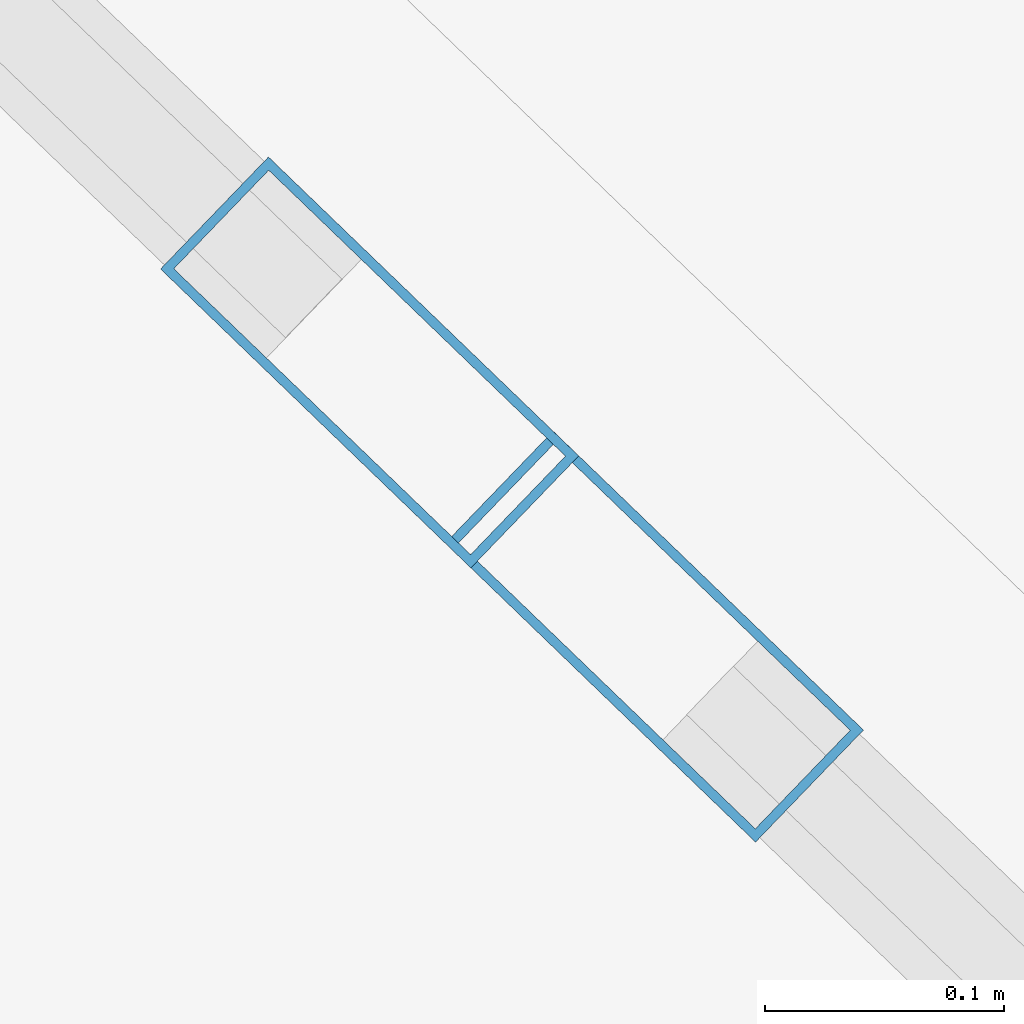
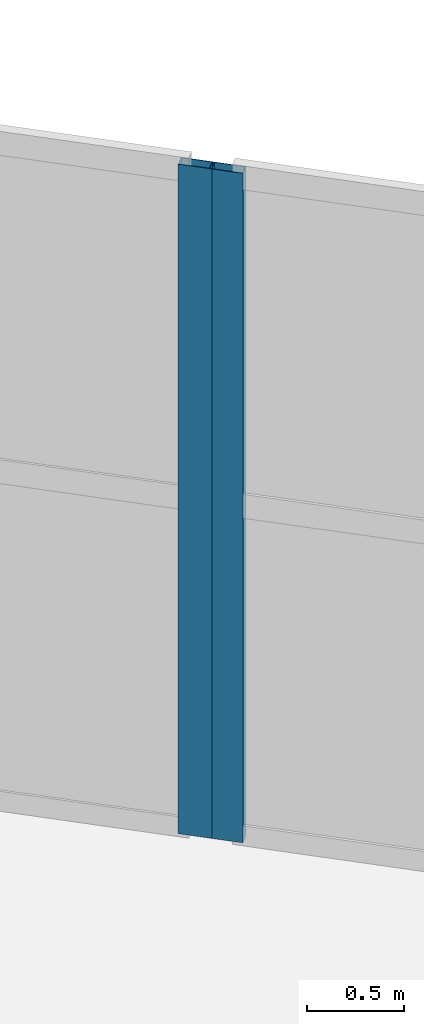
# One storey, part 66 of 123: 2 members, 2 elements without a shape of their own.
"""IFC4 building model written with IfcOpenShell, lengths in metres."""

from ifc_helpers import new_model, si_unit, direction, frame, origin, origin_2d, place, context, subcontext, project, spatial, hollow_rectangle, extrude, material, layer, layer_set, material_profile, profile_set, type_object, element, aggregate, save


model = new_model("IFC4")

# Units and contexts
model_context = context("Model", 3, precision=1e-05, world=origin(), true_north=direction((0.0, 1.0)))
body_context = subcontext(model_context, "Body", "Model", "MODEL_VIEW")
ifc_project = project(units=[si_unit("LENGTHUNIT", "METRE"), si_unit("AREAUNIT", "SQUARE_METRE"), si_unit("VOLUMEUNIT", "CUBIC_METRE"), si_unit("PLANEANGLEUNIT", "RADIAN"), si_unit("MASSUNIT", "GRAM", prefix="KILO")], contexts=[model_context])

# Site, building, storey
site_placement = place(None, origin())
site = spatial("IfcSite", under=ifc_project, at=site_placement, CompositionType="ELEMENT")
building_placement = place(site_placement, origin())
building = spatial("IfcBuilding", under=site, at=building_placement, Name="Kalgoora Escarpment Arena", CompositionType="ELEMENT")
storey_placement = place(building_placement, frame((0.0, 0.0, 9.89990234375)))
storey = spatial("IfcBuildingStorey", under=building, at=storey_placement, Name="L02", CompositionType="ELEMENT", Elevation=9.89990234375)

# Curtain wall, member
ifc_material_1 = material(Name=" Champagne anodised aluminium & double-glazed low-E", Category="aluminium")
ifc_layer_1 = layer(ifc_material_1, 0.154052734375)
ifc_layer_set_1 = layer_set([ifc_layer_1], Name="CW-UNIT-06")
curtain_wall_type_1 = type_object("IfcCurtainWallType", Name="CW-UNIT-06", PredefinedType="NOTDEFINED", material=ifc_layer_set_1)
curtain_wall_1_placement = place(storey_placement, origin())
curtain_wall_1 = element("IfcCurtainWall", 1, at=curtain_wall_1_placement, inside=storey, type_object=curtain_wall_type_1, Name="L02 unitised facade curtain wall 085", PredefinedType="NOTDEFINED")
ifc_material_2 = material(Name="Anodised aluminium 6063-T6", Category="aluminium")
ifc_material_profile = material_profile(ifc_material_2, hollow_rectangle(XDim=0.06494140625, YDim=0.179931640625, WallThickness=0.00390625, at=origin_2d()))
ifc_profile_set = profile_set([ifc_material_profile], Name="Anodised aluminium 6063-T6")
member_type = type_object("IfcMemberType", Name="MEM-CW-MULL-180", PredefinedType="MULLION", material=ifc_profile_set)
member_1_placement = place(storey_placement, frame((160.56298828125, 97.84716796875, 0.02001953125), z_axis=(0.0, 0.0, 1.0), x_axis=(0.693746227289, 0.720219530506, 0.0)))
member_1 = element("IfcMember", 2, at=member_1_placement, type_object=member_type, Name="CW-06 mullion 3", PredefinedType="MULLION", context=body_context, shape_type="SweptSolid", body=[
    extrude(hollow_rectangle(XDim=0.06494140625, YDim=0.179931640625, WallThickness=0.00390625, at=origin_2d()), origin(), (0.0, 0.0, 1.0), 4.205078125),
])
aggregate(curtain_wall_1, [member_1])

ifc_material_3 = material(Name=" Champagne anodised aluminium & double-glazed low-E", Category="aluminium")
ifc_layer_2 = layer(ifc_material_3, 0.157958984375)
ifc_layer_set_2 = layer_set([ifc_layer_2], Name="CW-UNIT-07")
curtain_wall_type_2 = type_object("IfcCurtainWallType", Name="CW-UNIT-07", PredefinedType="NOTDEFINED", material=ifc_layer_set_2)
curtain_wall_2_placement = place(storey_placement, origin())
curtain_wall_2 = element("IfcCurtainWall", 3, at=curtain_wall_2_placement, inside=storey, type_object=curtain_wall_type_2, Name="L02 unitised facade curtain wall 086", PredefinedType="NOTDEFINED")
member_2_placement = place(storey_placement, frame((160.681884765625, 97.732666015625, 0.02001953125), z_axis=(0.0, 0.0, 1.0), x_axis=(0.693760188606, 0.720206082108, 0.0)))
member_2 = element("IfcMember", 4, at=member_2_placement, type_object=member_type, Name="CW-07 mullion 1", PredefinedType="MULLION", context=body_context, shape_type="SweptSolid", body=[
    extrude(hollow_rectangle(XDim=0.06494140625, YDim=0.179931640625, WallThickness=0.00390625, at=origin_2d()), origin(), (0.0, 0.0, 1.0), 4.205078125),
])
aggregate(curtain_wall_2, [member_2])

save(model, "model.ifc")
